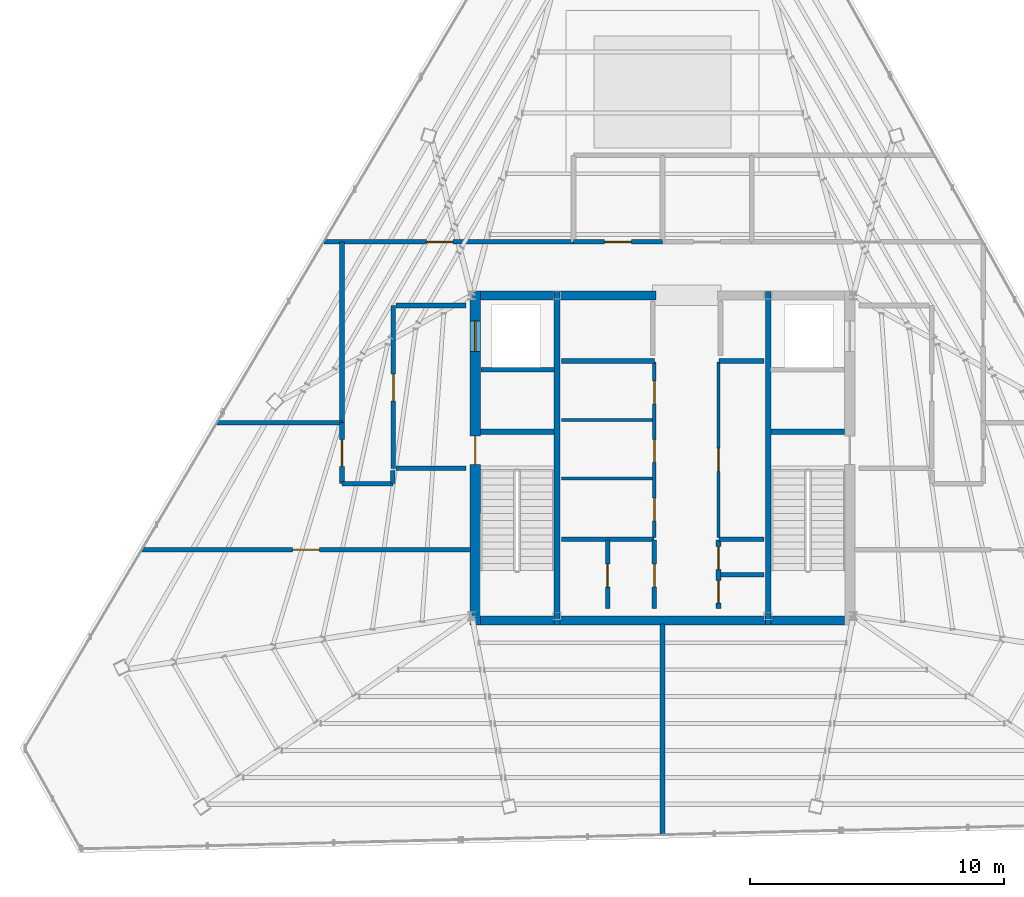
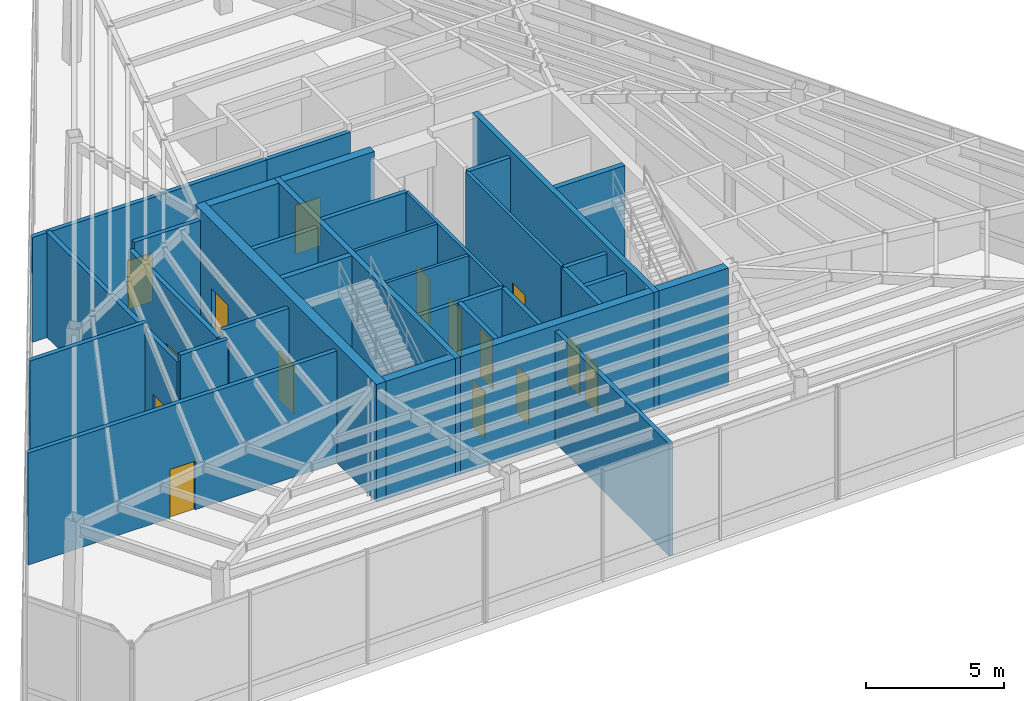
# One storey, part 23 of 25: 35 walls, 15 doors, 15 openings.
"""IFC4 building model written with IfcOpenShell, lengths in metres."""

from ifc_helpers import new_model, si_unit, direction, frame, frame_2d, origin, place, context, subcontext, project, spatial, rectangle, extrude, material, layer, layer_set, type_object, element, fill, save


model = new_model("IFC4")

# Units and contexts
model_context = context("Model", 3, precision=1e-05, world=origin(), true_north=direction((0.0, 1.0)))
body_context = subcontext(model_context, "Body", "Model", "MODEL_VIEW")
ifc_project = project(units=[si_unit("LENGTHUNIT", "METRE"), si_unit("AREAUNIT", "SQUARE_METRE"), si_unit("VOLUMEUNIT", "CUBIC_METRE"), si_unit("PLANEANGLEUNIT", "RADIAN"), si_unit("MASSUNIT", "GRAM", prefix="KILO")], contexts=[model_context])

# Site, building, storey
site_placement = place(None, origin())
site = spatial("IfcSite", under=ifc_project, at=site_placement, CompositionType="ELEMENT")
building_placement = place(site_placement, origin())
building = spatial("IfcBuilding", under=site, at=building_placement, Name="Caelisora Broadcast Tower", CompositionType="ELEMENT")
storey_placement = place(building_placement, frame((0.0, 0.0, 284.60009765625)))
storey = spatial("IfcBuildingStorey", under=building, at=storey_placement, Name="L75", CompositionType="ELEMENT", Elevation=284.60009765625)

# Wall, openings, doors
ifc_material_1 = material(Name="Concrete 40 MPa (AS 3600 N40)", Category="concrete")
ifc_layer_1 = layer(ifc_material_1, 0.39990234375, Name="Concrete 40 MPa (AS 3600 N40)")
ifc_layer_set_1 = layer_set([ifc_layer_1], Name="Concrete 40 MPa (AS 3600 N40)")
wall_type_1 = type_object("IfcWallType", Name="CW3", PredefinedType="SHEAR", material=ifc_layer_set_1)
wall_1_placement = place(storey_placement, frame((30.639892578125, 17.050048828125, 0.0), z_axis=(0.0, 0.0, 1.0), x_axis=(0.0, 1.0, 0.0)))
wall_1 = element("IfcWall", 1, at=wall_1_placement, inside=storey, type_object=wall_type_1, Name="L75 core shear wall CW3", PredefinedType="SHEAR", context=body_context, shape_type="SweptSolid", body=[
    extrude(rectangle(XDim=13.125, YDim=0.39990234375, at=frame_2d((6.5625, 0.0))), origin(), (0.0, 0.0, 1.0), 5.199951171875),
])
opening_1_placement = place(wall_1_placement, frame((6.300048828125, 0.0, 0.0)))
opening_1 = element("IfcOpeningElement", 2, at=opening_1_placement, cuts=wall_1, Name="Opening FD04", PredefinedType="OPENING", context=body_context, shape_type="SweptSolid", body=[
    extrude(rectangle(XDim=1.1201171875, YDim=2.14990234375, at=frame_2d((0.56005859375, 1.074951171875))), frame((0.0, 0.2119140625, 0.0), z_axis=(0.0, -1.0, 0.0), x_axis=(1.0, 0.0, 0.0)), (0.0, 0.0, 1.0), 0.423828125),
])
opening_2_placement = place(wall_1_placement, frame((10.75, 0.0, 0.0)))
opening_2 = element("IfcOpeningElement", 3, at=opening_2_placement, cuts=wall_1, Name="Opening LD04", PredefinedType="OPENING", context=body_context, shape_type="SweptSolid", body=[
    extrude(rectangle(XDim=1.199951171875, YDim=2.199951171875, at=frame_2d((0.60009765625, 1.10009765625))), frame((0.0, 0.2119140625, 0.0), z_axis=(0.0, -1.0, 0.0), x_axis=(1.0, 0.0, 0.0)), (0.0, 0.0, 1.0), 0.423828125),
])
ifc_material_2 = material(Name="Pressurised Fire-Isolated Stair Door", Category="steel")
door_type_1 = type_object("IfcDoorType", Name="FD04", OperationType="NOTDEFINED", PredefinedType="DOOR", material=ifc_material_2)
door_1_placement = place(opening_1_placement, origin())
door_1 = element("IfcDoor", 4, at=door_1_placement, inside=storey, type_object=door_type_1, Name="L75 door FD04 (L75-DR-ST1)", OperationType="SINGLE_SWING_LEFT", OverallHeight=2.14990234375, OverallWidth=1.1201171875, PredefinedType="DOOR", context=body_context, shape_type="SweptSolid", body=[
    extrude(rectangle(XDim=1.1201171875, YDim=2.14990234375, at=frame_2d((0.56005859375, 1.074951171875))), frame((0.0, 0.02490234375, 0.0), z_axis=(0.0, -1.0, 0.0), x_axis=(1.0, 0.0, 0.0)), (0.0, 0.0, 1.0), 0.050048828125),
])
fill(opening_1, door_1)
ifc_material_3 = material(Name="Emergency Firefighting Lift Sliding Landing Door", Category="steel")
door_type_2 = type_object("IfcDoorType", Name="LD04", OperationType="NOTDEFINED", PredefinedType="DOOR", material=ifc_material_3)
door_2_placement = place(opening_2_placement, origin())
door_2 = element("IfcDoor", 5, at=door_2_placement, inside=storey, type_object=door_type_2, Name="L75 door LD04 (L75-LD-FFL1)", OperationType="SLIDING_TO_LEFT", OverallHeight=2.199951171875, OverallWidth=1.199951171875, PredefinedType="DOOR", context=body_context, shape_type="SweptSolid", body=[
    extrude(rectangle(XDim=1.199951171875, YDim=2.199951171875, at=frame_2d((0.60009765625, 1.10009765625))), frame((0.0, 0.02490234375, 0.0), z_axis=(0.0, -1.0, 0.0), x_axis=(1.0, 0.0, 0.0)), (0.0, 0.0, 1.0), 0.050048828125),
])
fill(opening_2, door_2)

# Walls
ifc_layer_2 = layer(ifc_material_1, 0.35009765625, Name="Concrete 40 MPa (AS 3600 N40)")
ifc_layer_set_2 = layer_set([ifc_layer_2], Name="Concrete 40 MPa (AS 3600 N40)")
wall_type_2 = type_object("IfcWallType", Name="CW6", PredefinedType="SHEAR", material=ifc_layer_set_2)
wall_2_placement = place(storey_placement, frame((30.840087890625, 17.22509765625, 0.0), z_axis=(0.0, 0.0, 1.0), x_axis=(1.0, 0.0, 0.0)))
element("IfcWall", 6, at=wall_2_placement, inside=storey, type_object=wall_type_2, Name="L75 core shear wall CW6", PredefinedType="SHEAR", context=body_context, shape_type="SweptSolid", body=[
    extrude(rectangle(XDim=2.89990234375, YDim=0.35009765625, at=frame_2d((1.449951171875, 0.0))), origin(), (0.0, 0.0, 1.0), 5.199951171875),
])
wall_3_placement = place(storey_placement, frame((33.9599609375, 17.22509765625, 0.0), z_axis=(0.0, 0.0, 1.0), x_axis=(1.0, 0.0, 0.0)))
element("IfcWall", 7, at=wall_3_placement, inside=storey, type_object=wall_type_2, Name="L75 core shear wall CW6", PredefinedType="SHEAR", context=body_context, shape_type="SweptSolid", body=[
    extrude(rectangle(XDim=8.080078125, YDim=0.35009765625, at=frame_2d((4.0400390625, 0.0))), origin(), (0.0, 0.0, 1.0), 5.199951171875),
])
for number, where, z_axis, x_axis, name in (
    (8, (42.260009765625, 17.22509765625, 0.0), (0.0, 0.0, 1.0), (1.0, 0.0, 0.0), "L75 core shear wall CW6"),
    (9, (30.840087890625, 30.0, 0.0), (0.0, 0.0, 1.0), (1.0, 0.0, 0.0), "L75 core shear wall CW6"),
):
    element("IfcWall", number, at=place(storey_placement, frame(where, z_axis=z_axis, x_axis=x_axis)), inside=storey, type_object=wall_type_2, Name=name, PredefinedType="SHEAR", context=body_context, shape_type="SweptSolid", body=[
        extrude(rectangle(XDim=2.89990234375, YDim=0.35009765625, at=frame_2d((1.449951171875, 0.0))), origin(), (0.0, 0.0, 1.0), 5.199951171875),
    ])
wall_4_placement = place(storey_placement, frame((33.9599609375, 30.0, 0.0), z_axis=(0.0, 0.0, 1.0), x_axis=(1.0, 0.0, 0.0)))
element("IfcWall", 10, at=wall_4_placement, inside=storey, type_object=wall_type_2, Name="L75 core shear wall CW6", PredefinedType="SHEAR", context=body_context, shape_type="SweptSolid", body=[
    extrude(rectangle(XDim=3.780029296875, YDim=0.35009765625, at=frame_2d((1.89013671875, 0.0))), origin(), (0.0, 0.0, 1.0), 5.199951171875),
])
ifc_material_4 = material(Name="Concrete 50 MPa (AS 3600 S50)", Category="concrete")
ifc_layer_3 = layer(ifc_material_4, 0.219970703125, Name="Concrete 50 MPa (AS 3600 S50)")
ifc_layer_set_3 = layer_set([ifc_layer_3], Name="Concrete 50 MPa (AS 3600 S50)")
wall_type_3 = type_object("IfcWallType", Name="CW7", PredefinedType="SHEAR", material=ifc_layer_set_3)
for number, where, z_axis, x_axis, name in (
    (11, (33.85009765625, 17.050048828125, 0.0), (0.0, 0.0, 1.0), (0.0, 1.0, 0.0), "L75 core shear wall CW7"),
    (12, (42.14990234375, 17.050048828125, 0.0), (0.0, 0.0, 1.0), (0.0, 1.0, 0.0), "L75 core shear wall CW7"),
):
    element("IfcWall", number, at=place(storey_placement, frame(where, z_axis=z_axis, x_axis=x_axis)), inside=storey, type_object=wall_type_3, Name=name, PredefinedType="SHEAR", context=body_context, shape_type="SweptSolid", body=[
        extrude(rectangle(XDim=13.125, YDim=0.219970703125, at=frame_2d((6.5625, 0.0))), origin(), (0.0, 0.0, 1.0), 5.199951171875),
    ])
for number, where, z_axis, x_axis, name in (
    (13, (30.840087890625, 24.639892578125, 0.0), (0.0, 0.0, 1.0), (1.0, 0.0, 0.0), "L75 core shear wall CW7"),
    (14, (42.260009765625, 24.639892578125, 0.0), (0.0, 0.0, 1.0), (1.0, 0.0, 0.0), "L75 core shear wall CW7"),
):
    element("IfcWall", number, at=place(storey_placement, frame(where, z_axis=z_axis, x_axis=x_axis)), inside=storey, type_object=wall_type_3, Name=name, PredefinedType="SHEAR", context=body_context, shape_type="SweptSolid", body=[
        extrude(rectangle(XDim=2.89990234375, YDim=0.219970703125, at=frame_2d((1.449951171875, 0.0))), origin(), (0.0, 0.0, 1.0), 5.199951171875),
    ])
ifc_material_5 = material(Name="Fire-Rated Gypsum Shaft and Compartment Wall", Category="gypsum")
ifc_layer_4 = layer(ifc_material_5, 0.179931640625, Name="Fire-Rated Gypsum Shaft and Compartment Wall")
ifc_layer_set_4 = layer_set([ifc_layer_4], Name="Fire-Rated Gypsum Shaft and Compartment Wall")
wall_type_4 = type_object("IfcWallType", Name="PW2", PredefinedType="PARTITIONING", material=ifc_layer_set_4)
wall_5_placement = place(storey_placement, frame((34.02001953125, 27.419921875, 0.0), z_axis=(0.0, 0.0, 1.0), x_axis=(1.0, 0.0, 0.0)))
element("IfcWall", 15, at=wall_5_placement, inside=storey, type_object=wall_type_4, Name="L75 fire compartment wall PW2", PredefinedType="PARTITIONING", context=body_context, shape_type="SweptSolid", body=[
    extrude(rectangle(XDim=3.659912109375, YDim=0.179931640625, at=frame_2d((1.830078125, 0.0))), origin(), (0.0, 0.0, 1.0), 4.949951171875),
])
wall_6_placement = place(storey_placement, frame((40.219970703125, 27.419921875, 0.0), z_axis=(0.0, 0.0, 1.0), x_axis=(1.0, 0.0, 0.0)))
element("IfcWall", 16, at=wall_6_placement, inside=storey, type_object=wall_type_4, Name="L75 fire compartment wall PW2", PredefinedType="PARTITIONING", context=body_context, shape_type="SweptSolid", body=[
    extrude(rectangle(XDim=1.760009765625, YDim=0.179931640625, at=frame_2d((0.8798828125, 0.0))), origin(), (0.0, 0.0, 1.0), 4.949951171875),
])

# Wall, opening, door
wall_7_placement = place(storey_placement, frame((27.419921875, 23.199951171875, 0.0), z_axis=(0.0, 0.0, 1.0), x_axis=(0.0, 1.0, 0.0)))
wall_7 = element("IfcWall", 17, at=wall_7_placement, inside=storey, type_object=wall_type_4, Name="L75 fire compartment wall PW2", PredefinedType="PARTITIONING", context=body_context, shape_type="SweptSolid", body=[
    extrude(rectangle(XDim=6.400146484375, YDim=0.179931640625, at=frame_2d((3.2001953125, 0.0))), origin(), (0.0, 0.0, 1.0), 4.635009765625),
])
opening_3_placement = place(wall_7_placement, frame((2.64990234375, 0.0, 0.0)))
opening_3 = element("IfcOpeningElement", 18, at=opening_3_placement, cuts=wall_7, Name="Opening FD02", PredefinedType="OPENING", context=body_context, shape_type="SweptSolid", body=[
    extrude(rectangle(XDim=1.050048828125, YDim=2.14990234375, at=frame_2d((0.52490234375, 1.074951171875))), frame((0.0, 0.10205078125, 0.0), z_axis=(0.0, -1.0, 0.0), x_axis=(1.0, 0.0, 0.0)), (0.0, 0.0, 1.0), 0.203857421875),
])
ifc_material_6 = material(Name="Single-Leaf Steel Fire Lobby Door", Category="steel")
door_type_3 = type_object("IfcDoorType", Name="FD02", OperationType="NOTDEFINED", PredefinedType="DOOR", material=ifc_material_6)
door_3_placement = place(opening_3_placement, origin())
door_3 = element("IfcDoor", 19, at=door_3_placement, inside=storey, type_object=door_type_3, Name="L75 door FD02 (L75-DR-P01D1)", OperationType="SINGLE_SWING_RIGHT", OverallHeight=2.14990234375, OverallWidth=1.050048828125, PredefinedType="DOOR", context=body_context, shape_type="SweptSolid", body=[
    extrude(rectangle(XDim=1.050048828125, YDim=2.14990234375, at=frame_2d((0.52490234375, 1.074951171875))), frame((0.0, 0.02490234375, 0.0), z_axis=(0.0, -1.0, 0.0), x_axis=(1.0, 0.0, 0.0)), (0.0, 0.0, 1.0), 0.050048828125),
])
fill(opening_3, door_3)

# Walls
for number, where, z_axis, x_axis, name in (
    (20, (27.52001953125, 23.199951171875, 0.0), (0.0, 0.0, 1.0), (1.0, 0.0, 0.0), "L75 fire compartment wall PW2"),
    (21, (27.52001953125, 29.60009765625, 0.0), (0.0, 0.0, 1.0), (1.0, 0.0, 0.0), "L75 fire compartment wall PW2"),
):
    element("IfcWall", number, at=place(storey_placement, frame(where, z_axis=z_axis, x_axis=x_axis)), inside=storey, type_object=wall_type_4, Name=name, PredefinedType="PARTITIONING", context=body_context, shape_type="SweptSolid", body=[
        extrude(rectangle(XDim=2.760009765625, YDim=0.179931640625, at=frame_2d((1.3798828125, 0.0))), origin(), (0.0, 0.0, 1.0), 4.949951171875),
    ])
wall_8_placement = place(storey_placement, frame((30.860107421875, 27.070068359375, 0.0), z_axis=(0.0, 0.0, 1.0), x_axis=(1.0, 0.0, 0.0)))
element("IfcWall", 22, at=wall_8_placement, inside=storey, type_object=wall_type_4, Name="L75 fire compartment wall PW2", PredefinedType="PARTITIONING", context=body_context, shape_type="SweptSolid", body=[
    extrude(rectangle(XDim=2.89990234375, YDim=0.179931640625, at=frame_2d((1.449951171875, 0.0))), origin(), (0.0, 0.0, 1.0), 4.949951171875),
])
wall_9_placement = place(storey_placement, frame((34.02001953125, 20.419921875, 0.0), z_axis=(0.0, 0.0, 1.0), x_axis=(1.0, 0.0, 0.0)))
element("IfcWall", 23, at=wall_9_placement, inside=storey, type_object=wall_type_4, Name="L75 fire compartment wall PW2", PredefinedType="PARTITIONING", context=body_context, shape_type="SweptSolid", body=[
    extrude(rectangle(XDim=3.639892578125, YDim=0.179931640625, at=frame_2d((1.81982421875, 0.0))), origin(), (0.0, 0.0, 1.0), 4.949951171875),
])
wall_10_placement = place(storey_placement, frame((40.219970703125, 20.419921875, 0.0), z_axis=(0.0, 0.0, 1.0), x_axis=(1.0, 0.0, 0.0)))
element("IfcWall", 24, at=wall_10_placement, inside=storey, type_object=wall_type_4, Name="L75 fire compartment wall PW2", PredefinedType="PARTITIONING", context=body_context, shape_type="SweptSolid", body=[
    extrude(rectangle(XDim=1.760009765625, YDim=0.179931640625, at=frame_2d((0.8798828125, 0.0))), origin(), (0.0, 0.0, 1.0), 4.949951171875),
])

# Wall, opening, door
wall_11_placement = place(storey_placement, frame((35.840087890625, 17.679931640625, 0.0), z_axis=(0.0, 0.0, 1.0), x_axis=(0.0, 1.0, 0.0)))
wall_11 = element("IfcWall", 25, at=wall_11_placement, inside=storey, type_object=wall_type_4, Name="L75 fire compartment wall PW2", PredefinedType="PARTITIONING", context=body_context, shape_type="SweptSolid", body=[
    extrude(rectangle(XDim=2.699951171875, YDim=0.179931640625, at=frame_2d((1.35009765625, 0.0))), origin(), (0.0, 0.0, 1.0), 4.949951171875),
])
opening_4_placement = place(wall_11_placement, frame((0.85009765625, 0.0, 0.0)))
opening_4 = element("IfcOpeningElement", 26, at=opening_4_placement, cuts=wall_11, Name="Opening FD03", PredefinedType="OPENING", context=body_context, shape_type="SweptSolid", body=[
    extrude(rectangle(XDim=0.89990234375, YDim=2.10009765625, at=frame_2d((0.449951171875, 1.050048828125))), frame((0.0, 0.10205078125, 0.0), z_axis=(0.0, -1.0, 0.0), x_axis=(1.0, 0.0, 0.0)), (0.0, 0.0, 1.0), 0.203857421875),
])
ifc_material_7 = material(Name="Single-Leaf Steel Riser Fire Access Door", Category="steel")
door_type_4 = type_object("IfcDoorType", Name="FD03", OperationType="NOTDEFINED", PredefinedType="DOOR", material=ifc_material_7)
door_4_placement = place(opening_4_placement, origin())
door_4 = element("IfcDoor", 27, at=door_4_placement, inside=storey, type_object=door_type_4, Name="L75 door FD03 (L75-DR-P15D1)", OperationType="SINGLE_SWING_RIGHT", OverallHeight=2.10009765625, OverallWidth=0.89990234375, PredefinedType="DOOR", context=body_context, shape_type="SweptSolid", body=[
    extrude(rectangle(XDim=0.89990234375, YDim=2.10009765625, at=frame_2d((0.449951171875, 1.050048828125))), frame((0.0, 0.02490234375, 0.0), z_axis=(0.0, -1.0, 0.0), x_axis=(1.0, 0.0, 0.0)), (0.0, 0.0, 1.0), 0.050048828125),
])
fill(opening_4, door_4)

wall_12_placement = place(storey_placement, frame((37.679931640625, 17.679931640625, 0.0), z_axis=(0.0, 0.0, 1.0), x_axis=(0.0, 1.0, 0.0)))
wall_12 = element("IfcWall", 28, at=wall_12_placement, inside=storey, type_object=wall_type_4, Name="L75 fire compartment wall PW2", PredefinedType="PARTITIONING", context=body_context, shape_type="SweptSolid", body=[
    extrude(rectangle(XDim=2.699951171875, YDim=0.179931640625, at=frame_2d((1.35009765625, 0.0))), origin(), (0.0, 0.0, 1.0), 4.949951171875),
])
opening_5_placement = place(wall_12_placement, frame((0.85009765625, 0.0, 0.0)))
opening_5 = element("IfcOpeningElement", 29, at=opening_5_placement, cuts=wall_12, Name="Opening FD03", PredefinedType="OPENING", context=body_context, shape_type="SweptSolid", body=[
    extrude(rectangle(XDim=0.89990234375, YDim=2.10009765625, at=frame_2d((0.449951171875, 1.050048828125))), frame((0.0, 0.10205078125, 0.0), z_axis=(0.0, -1.0, 0.0), x_axis=(1.0, 0.0, 0.0)), (0.0, 0.0, 1.0), 0.203857421875),
])
door_5_placement = place(opening_5_placement, origin())
door_5 = element("IfcDoor", 30, at=door_5_placement, inside=storey, type_object=door_type_4, Name="L75 door FD03 (L75-DR-P16D1)", OperationType="SINGLE_SWING_LEFT", OverallHeight=2.10009765625, OverallWidth=0.89990234375, PredefinedType="DOOR", context=body_context, shape_type="SweptSolid", body=[
    extrude(rectangle(XDim=0.89990234375, YDim=2.10009765625, at=frame_2d((0.449951171875, 1.050048828125))), frame((0.0, 0.02490234375, 0.0), z_axis=(0.0, -1.0, 0.0), x_axis=(1.0, 0.0, 0.0)), (0.0, 0.0, 1.0), 0.050048828125),
])
fill(opening_5, door_5)

# Wall
wall_13_placement = place(storey_placement, frame((40.280029296875, 19.02001953125, 0.0), z_axis=(0.0, 0.0, 1.0), x_axis=(1.0, 0.0, 0.0)))
element("IfcWall", 31, at=wall_13_placement, inside=storey, type_object=wall_type_4, Name="L75 fire compartment wall PW2", PredefinedType="PARTITIONING", context=body_context, shape_type="SweptSolid", body=[
    extrude(rectangle(XDim=1.699951171875, YDim=0.179931640625, at=frame_2d((0.85009765625, 0.0))), origin(), (0.0, 0.0, 1.0), 4.949951171875),
])

# Wall, openings, doors
wall_14_placement = place(storey_placement, frame((40.199951171875, 17.679931640625, 0.0), z_axis=(0.0, 0.0, 1.0), x_axis=(0.0, 1.0, 0.0)))
wall_14 = element("IfcWall", 32, at=wall_14_placement, inside=storey, type_object=wall_type_4, Name="L75 fire compartment wall PW2", PredefinedType="PARTITIONING", context=body_context, shape_type="SweptSolid", body=[
    extrude(rectangle(XDim=2.699951171875, YDim=0.179931640625, at=frame_2d((1.35009765625, 0.0))), origin(), (0.0, 0.0, 1.0), 4.949951171875),
])
opening_6_placement = place(wall_14_placement, frame((0.219970703125, 0.0, 0.0)))
opening_6 = element("IfcOpeningElement", 33, at=opening_6_placement, cuts=wall_14, Name="Opening FD03", PredefinedType="OPENING", context=body_context, shape_type="SweptSolid", body=[
    extrude(rectangle(XDim=0.89990234375, YDim=2.10009765625, at=frame_2d((0.449951171875, 1.050048828125))), frame((0.0, 0.10205078125, 0.0), z_axis=(0.0, -1.0, 0.0), x_axis=(1.0, 0.0, 0.0)), (0.0, 0.0, 1.0), 0.203857421875),
])
opening_7_placement = place(wall_14_placement, frame((1.5400390625, 0.0, 0.0)))
opening_7 = element("IfcOpeningElement", 34, at=opening_7_placement, cuts=wall_14, Name="Opening FD03", PredefinedType="OPENING", context=body_context, shape_type="SweptSolid", body=[
    extrude(rectangle(XDim=0.89990234375, YDim=2.10009765625, at=frame_2d((0.449951171875, 1.050048828125))), frame((0.0, 0.10205078125, 0.0), z_axis=(0.0, -1.0, 0.0), x_axis=(1.0, 0.0, 0.0)), (0.0, 0.0, 1.0), 0.203857421875),
])
door_6_placement = place(opening_6_placement, origin())
door_6 = element("IfcDoor", 35, at=door_6_placement, inside=storey, type_object=door_type_4, Name="L75 door FD03 (L75-DR-P18D1)", OperationType="SINGLE_SWING_RIGHT", OverallHeight=2.10009765625, OverallWidth=0.89990234375, PredefinedType="DOOR", context=body_context, shape_type="SweptSolid", body=[
    extrude(rectangle(XDim=0.89990234375, YDim=2.10009765625, at=frame_2d((0.449951171875, 1.050048828125))), frame((0.0, 0.02490234375, 0.0), z_axis=(0.0, -1.0, 0.0), x_axis=(1.0, 0.0, 0.0)), (0.0, 0.0, 1.0), 0.050048828125),
])
fill(opening_6, door_6)
door_7_placement = place(opening_7_placement, origin())
door_7 = element("IfcDoor", 36, at=door_7_placement, inside=storey, type_object=door_type_4, Name="L75 door FD03 (L75-DR-P18D2)", OperationType="SINGLE_SWING_LEFT", OverallHeight=2.10009765625, OverallWidth=0.89990234375, PredefinedType="DOOR", context=body_context, shape_type="SweptSolid", body=[
    extrude(rectangle(XDim=0.89990234375, YDim=2.10009765625, at=frame_2d((0.449951171875, 1.050048828125))), frame((0.0, 0.02490234375, 0.0), z_axis=(0.0, -1.0, 0.0), x_axis=(1.0, 0.0, 0.0)), (0.0, 0.0, 1.0), 0.050048828125),
])
fill(opening_7, door_7)

# Wall, opening, door
wall_15_placement = place(storey_placement, frame((17.530029296875, 20.0, 0.0), z_axis=(0.0, 0.0, 1.0), x_axis=(1.0, 0.0, 0.0)))
wall_15 = element("IfcWall", 37, at=wall_15_placement, inside=storey, type_object=wall_type_4, Name="L75 fire compartment wall PW2", PredefinedType="PARTITIONING", context=body_context, shape_type="SweptSolid", body=[
    extrude(rectangle(XDim=12.9150390625, YDim=0.179931640625, at=frame_2d((6.45751953125, 0.0))), origin(), (0.0, 0.0, 1.0), 4.949951171875),
])
opening_8_placement = place(wall_15_placement, frame((5.931884765625, 0.0, 0.0)))
opening_8 = element("IfcOpeningElement", 38, at=opening_8_placement, cuts=wall_15, Name="Opening FD02", PredefinedType="OPENING", context=body_context, shape_type="SweptSolid", body=[
    extrude(rectangle(XDim=1.050048828125, YDim=2.14990234375, at=frame_2d((0.52490234375, 1.074951171875))), frame((0.0, 0.10205078125, 0.0), z_axis=(0.0, -1.0, 0.0), x_axis=(1.0, 0.0, 0.0)), (0.0, 0.0, 1.0), 0.203857421875),
])
door_8_placement = place(opening_8_placement, origin())
door_8 = element("IfcDoor", 39, at=door_8_placement, inside=storey, type_object=door_type_3, Name="L75 door FD02 (L75-DR-P19D1)", OperationType="SINGLE_SWING_RIGHT", OverallHeight=2.14990234375, OverallWidth=1.050048828125, PredefinedType="DOOR", context=body_context, shape_type="SweptSolid", body=[
    extrude(rectangle(XDim=1.050048828125, YDim=2.14990234375, at=frame_2d((0.52490234375, 1.074951171875))), frame((0.0, 0.02490234375, 0.0), z_axis=(0.0, -1.0, 0.0), x_axis=(1.0, 0.0, 0.0)), (0.0, 0.0, 1.0), 0.050048828125),
])
fill(opening_8, door_8)

wall_16_placement = place(storey_placement, frame((24.69287109375, 32.10009765625, 0.0), z_axis=(0.0, 0.0, 1.0), x_axis=(1.0, 0.0, 0.0)))
wall_16 = element("IfcWall", 40, at=wall_16_placement, inside=storey, type_object=wall_type_4, Name="L75 fire compartment wall PW2", PredefinedType="PARTITIONING", context=body_context, shape_type="SweptSolid", body=[
    extrude(rectangle(XDim=9.80224609375, YDim=0.179931640625, at=frame_2d((4.901123046875, 0.0))), origin(), (0.0, 0.0, 1.0), 4.635009765625),
])
opening_9_placement = place(wall_16_placement, frame((4.02001953125, 0.0, 0.0)))
opening_9 = element("IfcOpeningElement", 41, at=opening_9_placement, cuts=wall_16, Name="Opening FD02", PredefinedType="OPENING", context=body_context, shape_type="SweptSolid", body=[
    extrude(rectangle(XDim=1.050048828125, YDim=2.14990234375, at=frame_2d((0.52490234375, 1.074951171875))), frame((0.0, 0.10205078125, 0.0), z_axis=(0.0, -1.0, 0.0), x_axis=(1.0, 0.0, 0.0)), (0.0, 0.0, 1.0), 0.203857421875),
])
door_9_placement = place(opening_9_placement, origin())
door_9 = element("IfcDoor", 42, at=door_9_placement, inside=storey, type_object=door_type_3, Name="L75 door FD02 (L75-DR-P21D1)", OperationType="SINGLE_SWING_RIGHT", OverallHeight=2.14990234375, OverallWidth=1.050048828125, PredefinedType="DOOR", context=body_context, shape_type="SweptSolid", body=[
    extrude(rectangle(XDim=1.050048828125, YDim=2.14990234375, at=frame_2d((0.52490234375, 1.074951171875))), frame((0.0, 0.02490234375, 0.0), z_axis=(0.0, -1.0, 0.0), x_axis=(1.0, 0.0, 0.0)), (0.0, 0.0, 1.0), 0.050048828125),
])
fill(opening_9, door_9)

# Walls
wall_17_placement = place(storey_placement, frame((38.0, 8.81005859375, 0.0), z_axis=(0.0, 0.0, 1.0), x_axis=(0.0, 1.0, 0.0)))
element("IfcWall", 43, at=wall_17_placement, inside=storey, type_object=wall_type_4, Name="L75 fire compartment wall PW2", PredefinedType="PARTITIONING", context=body_context, shape_type="SweptSolid", body=[
    extrude(rectangle(XDim=8.264892578125, YDim=0.179931640625, at=frame_2d((4.13232421875, 0.0))), origin(), (0.0, 0.0, 1.0), 4.949951171875),
])
wall_18_placement = place(storey_placement, frame((25.39990234375, 25.0048828125, 0.0), z_axis=(0.0, 0.0, 1.0), x_axis=(0.0, 1.0, 0.0)))
element("IfcWall", 44, at=wall_18_placement, inside=storey, type_object=wall_type_4, Name="L75 fire compartment wall PW2", PredefinedType="PARTITIONING", context=body_context, shape_type="SweptSolid", body=[
    extrude(rectangle(XDim=7.090087890625, YDim=0.179931640625, at=frame_2d((3.544921875, 0.0))), origin(), (0.0, 0.0, 1.0), 4.635009765625),
])
wall_19_placement = place(storey_placement, frame((20.489990234375, 25.0, 0.0), z_axis=(0.0, 0.0, 1.0), x_axis=(1.0, 0.0, 0.0)))
element("IfcWall", 45, at=wall_19_placement, inside=storey, type_object=wall_type_4, Name="L75 fire compartment wall PW2", PredefinedType="PARTITIONING", context=body_context, shape_type="SweptSolid", body=[
    extrude(rectangle(XDim=4.905029296875, YDim=0.179931640625, at=frame_2d((2.45263671875, 0.0))), origin(), (0.0, 0.0, 1.0), 4.949951171875),
])

# Wall, opening, door
wall_20_placement = place(storey_placement, frame((34.5048828125, 32.10009765625, 0.0), z_axis=(0.0, 0.0, 1.0), x_axis=(1.0, 0.0, 0.0)))
wall_20 = element("IfcWall", 46, at=wall_20_placement, inside=storey, type_object=wall_type_4, Name="L75 fire compartment wall PW2", PredefinedType="PARTITIONING", context=body_context, shape_type="SweptSolid", body=[
    extrude(rectangle(XDim=3.490234375, YDim=0.179931640625, at=frame_2d((1.7451171875, 0.0))), origin(), (0.0, 0.0, 1.0), 4.635009765625),
])
opening_10_placement = place(wall_20_placement, frame((1.219970703125, 0.0, 0.0)))
opening_10 = element("IfcOpeningElement", 47, at=opening_10_placement, cuts=wall_20, Name="Opening FD02", PredefinedType="OPENING", context=body_context, shape_type="SweptSolid", body=[
    extrude(rectangle(XDim=1.050048828125, YDim=2.14990234375, at=frame_2d((0.52490234375, 1.074951171875))), frame((0.0, 0.10205078125, 0.0), z_axis=(0.0, -1.0, 0.0), x_axis=(1.0, 0.0, 0.0)), (0.0, 0.0, 1.0), 0.203857421875),
])
door_10_placement = place(opening_10_placement, origin())
door_10 = element("IfcDoor", 48, at=door_10_placement, inside=storey, type_object=door_type_3, Name="L75 door FD02 (L75-DR-P29D1)", OperationType="SINGLE_SWING_LEFT", OverallHeight=2.14990234375, OverallWidth=1.050048828125, PredefinedType="DOOR", context=body_context, shape_type="SweptSolid", body=[
    extrude(rectangle(XDim=1.050048828125, YDim=2.14990234375, at=frame_2d((0.52490234375, 1.074951171875))), frame((0.0, 0.02490234375, 0.0), z_axis=(0.0, -1.0, 0.0), x_axis=(1.0, 0.0, 0.0)), (0.0, 0.0, 1.0), 0.050048828125),
])
fill(opening_10, door_10)

wall_21_placement = place(storey_placement, frame((25.39990234375, 24.9951171875, 0.0), z_axis=(0.0, 0.0, 1.0), x_axis=(0.0, -1.0, 0.0)))
wall_21 = element("IfcWall", 49, at=wall_21_placement, inside=storey, type_object=wall_type_4, Name="L75 fire compartment wall PW2", PredefinedType="PARTITIONING", context=body_context, shape_type="SweptSolid", body=[
    extrude(rectangle(XDim=2.39013671875, YDim=0.179931640625, at=frame_2d((1.195068359375, 0.0))), origin(), (0.0, 0.0, 1.0), 4.635009765625),
])
opening_11_placement = place(wall_21_placement, frame((0.669921875, 0.0, 0.0)))
opening_11 = element("IfcOpeningElement", 50, at=opening_11_placement, cuts=wall_21, Name="Opening FD02", PredefinedType="OPENING", context=body_context, shape_type="SweptSolid", body=[
    extrude(rectangle(XDim=1.050048828125, YDim=2.14990234375, at=frame_2d((0.52490234375, 1.074951171875))), frame((0.0, 0.10205078125, 0.0), z_axis=(0.0, -1.0, 0.0), x_axis=(1.0, 0.0, 0.0)), (0.0, 0.0, 1.0), 0.203857421875),
])
door_11_placement = place(opening_11_placement, origin())
door_11 = element("IfcDoor", 51, at=door_11_placement, inside=storey, type_object=door_type_3, Name="L75 door FD02 (L75-DR-P37D1)", OperationType="SINGLE_SWING_RIGHT", OverallHeight=2.14990234375, OverallWidth=1.050048828125, PredefinedType="DOOR", context=body_context, shape_type="SweptSolid", body=[
    extrude(rectangle(XDim=1.050048828125, YDim=2.14990234375, at=frame_2d((0.52490234375, 1.074951171875))), frame((0.0, 0.02490234375, 0.0), z_axis=(0.0, -1.0, 0.0), x_axis=(1.0, 0.0, 0.0)), (0.0, 0.0, 1.0), 0.050048828125),
])
fill(opening_11, door_11)

# Walls
wall_22_placement = place(storey_placement, frame((25.405029296875, 22.60009765625, 0.0), z_axis=(0.0, 0.0, 1.0), x_axis=(1.0, 0.0, 0.0)))
element("IfcWall", 52, at=wall_22_placement, inside=storey, type_object=wall_type_4, Name="L75 fire compartment wall PW2", PredefinedType="PARTITIONING", context=body_context, shape_type="SweptSolid", body=[
    extrude(rectangle(XDim=1.989990234375, YDim=0.179931640625, at=frame_2d((0.9951171875, 0.0))), origin(), (0.0, 0.0, 1.0), 4.949951171875),
])
wall_23_placement = place(storey_placement, frame((27.39990234375, 22.60498046875, 0.0), z_axis=(0.0, 0.0, 1.0), x_axis=(0.0, 1.0, 0.0)))
element("IfcWall", 53, at=wall_23_placement, inside=storey, type_object=wall_type_4, Name="L75 fire compartment wall PW2", PredefinedType="PARTITIONING", context=body_context, shape_type="SweptSolid", body=[
    extrude(rectangle(XDim=0.5, YDim=0.179931640625, at=frame_2d((0.25, 0.0))), origin(), (0.0, 0.0, 1.0), 4.635009765625),
])
ifc_material_8 = material(Name="Acoustic Steel-Stud Plasterboard Partition", Category="gypsum")
ifc_layer_5 = layer(ifc_material_8, 0.1298828125, Name="Acoustic Steel-Stud Plasterboard Partition")
ifc_layer_set_5 = layer_set([ifc_layer_5], Name="Acoustic Steel-Stud Plasterboard Partition")
wall_type_5 = type_object("IfcWallType", Name="PW3", PredefinedType="PARTITIONING", material=ifc_layer_set_5)
for number, where, z_axis, x_axis, name in (
    (54, (34.02001953125, 22.800048828125, 0.0), (0.0, 0.0, 1.0), (1.0, 0.0, 0.0), "L75 internal partition PW3"),
    (55, (34.02001953125, 25.10009765625, 0.0), (0.0, 0.0, 1.0), (1.0, 0.0, 0.0), "L75 internal partition PW3"),
):
    element("IfcWall", number, at=place(storey_placement, frame(where, z_axis=z_axis, x_axis=x_axis)), inside=storey, type_object=wall_type_5, Name=name, PredefinedType="PARTITIONING", context=body_context, shape_type="SweptSolid", body=[
        extrude(rectangle(XDim=3.580078125, YDim=0.1298828125, at=frame_2d((1.7900390625, 0.0))), origin(), (0.0, 0.0, 1.0), 4.949951171875),
    ])

# Wall, openings, doors
wall_24_placement = place(storey_placement, frame((37.679931640625, 20.47998046875, 0.0), z_axis=(0.0, 0.0, 1.0), x_axis=(0.0, 1.0, 0.0)))
wall_24 = element("IfcWall", 56, at=wall_24_placement, inside=storey, type_object=wall_type_5, Name="L75 internal partition PW3", PredefinedType="PARTITIONING", context=body_context, shape_type="SweptSolid", body=[
    extrude(rectangle(XDim=6.89990234375, YDim=0.1298828125, at=frame_2d((3.449951171875, 0.0))), origin(), (0.0, 0.0, 1.0), 4.949951171875),
])
opening_12_placement = place(wall_24_placement, frame((0.64990234375, 0.0, 0.0)))
opening_12 = element("IfcOpeningElement", 57, at=opening_12_placement, cuts=wall_24, Name="Opening FD03", PredefinedType="OPENING", context=body_context, shape_type="SweptSolid", body=[
    extrude(rectangle(XDim=0.89990234375, YDim=2.10009765625, at=frame_2d((0.449951171875, 1.050048828125))), frame((0.0, 0.076904296875, 0.0), z_axis=(0.0, -1.0, 0.0), x_axis=(1.0, 0.0, 0.0)), (0.0, 0.0, 1.0), 0.15380859375),
])
opening_13_placement = place(wall_24_placement, frame((2.949951171875, 0.0, 0.0)))
opening_13 = element("IfcOpeningElement", 58, at=opening_13_placement, cuts=wall_24, Name="Opening FD03", PredefinedType="OPENING", context=body_context, shape_type="SweptSolid", body=[
    extrude(rectangle(XDim=0.89990234375, YDim=2.10009765625, at=frame_2d((0.449951171875, 1.050048828125))), frame((0.0, 0.076904296875, 0.0), z_axis=(0.0, -1.0, 0.0), x_axis=(1.0, 0.0, 0.0)), (0.0, 0.0, 1.0), 0.15380859375),
])
opening_14_placement = place(wall_24_placement, frame((5.25, 0.0, 0.0)))
opening_14 = element("IfcOpeningElement", 59, at=opening_14_placement, cuts=wall_24, Name="Opening FD03", PredefinedType="OPENING", context=body_context, shape_type="SweptSolid", body=[
    extrude(rectangle(XDim=0.89990234375, YDim=2.10009765625, at=frame_2d((0.449951171875, 1.050048828125))), frame((0.0, 0.076904296875, 0.0), z_axis=(0.0, -1.0, 0.0), x_axis=(1.0, 0.0, 0.0)), (0.0, 0.0, 1.0), 0.15380859375),
])
door_12_placement = place(opening_12_placement, origin())
door_12 = element("IfcDoor", 60, at=door_12_placement, inside=storey, type_object=door_type_4, Name="L75 door FD03 (L75-DR-P13D1)", OperationType="SINGLE_SWING_RIGHT", OverallHeight=2.10009765625, OverallWidth=0.89990234375, PredefinedType="DOOR", context=body_context, shape_type="SweptSolid", body=[
    extrude(rectangle(XDim=0.89990234375, YDim=2.10009765625, at=frame_2d((0.449951171875, 1.050048828125))), frame((0.0, 0.02490234375, 0.0), z_axis=(0.0, -1.0, 0.0), x_axis=(1.0, 0.0, 0.0)), (0.0, 0.0, 1.0), 0.050048828125),
])
fill(opening_12, door_12)
door_13_placement = place(opening_13_placement, origin())
door_13 = element("IfcDoor", 61, at=door_13_placement, inside=storey, type_object=door_type_4, Name="L75 door FD03 (L75-DR-P13D2)", OperationType="SINGLE_SWING_LEFT", OverallHeight=2.10009765625, OverallWidth=0.89990234375, PredefinedType="DOOR", context=body_context, shape_type="SweptSolid", body=[
    extrude(rectangle(XDim=0.89990234375, YDim=2.10009765625, at=frame_2d((0.449951171875, 1.050048828125))), frame((0.0, 0.02490234375, 0.0), z_axis=(0.0, -1.0, 0.0), x_axis=(1.0, 0.0, 0.0)), (0.0, 0.0, 1.0), 0.050048828125),
])
fill(opening_13, door_13)
door_14_placement = place(opening_14_placement, origin())
door_14 = element("IfcDoor", 62, at=door_14_placement, inside=storey, type_object=door_type_4, Name="L75 door FD03 (L75-DR-P13D3)", OperationType="SINGLE_SWING_RIGHT", OverallHeight=2.10009765625, OverallWidth=0.89990234375, PredefinedType="DOOR", context=body_context, shape_type="SweptSolid", body=[
    extrude(rectangle(XDim=0.89990234375, YDim=2.10009765625, at=frame_2d((0.449951171875, 1.050048828125))), frame((0.0, 0.02490234375, 0.0), z_axis=(0.0, -1.0, 0.0), x_axis=(1.0, 0.0, 0.0)), (0.0, 0.0, 1.0), 0.050048828125),
])
fill(opening_14, door_14)

# Wall, opening, door
wall_25_placement = place(storey_placement, frame((40.199951171875, 20.47998046875, 0.0), z_axis=(0.0, 0.0, 1.0), x_axis=(0.0, 1.0, 0.0)))
wall_25 = element("IfcWall", 63, at=wall_25_placement, inside=storey, type_object=wall_type_5, Name="L75 internal partition PW3", PredefinedType="PARTITIONING", context=body_context, shape_type="SweptSolid", body=[
    extrude(rectangle(XDim=6.89990234375, YDim=0.1298828125, at=frame_2d((3.449951171875, 0.0))), origin(), (0.0, 0.0, 1.0), 4.949951171875),
])
opening_15_placement = place(wall_25_placement, frame((2.60009765625, 0.0, 0.0)))
opening_15 = element("IfcOpeningElement", 64, at=opening_15_placement, cuts=wall_25, Name="Opening FD03", PredefinedType="OPENING", context=body_context, shape_type="SweptSolid", body=[
    extrude(rectangle(XDim=0.89990234375, YDim=2.10009765625, at=frame_2d((0.449951171875, 1.050048828125))), frame((0.0, 0.076904296875, 0.0), z_axis=(0.0, -1.0, 0.0), x_axis=(1.0, 0.0, 0.0)), (0.0, 0.0, 1.0), 0.15380859375),
])
door_15_placement = place(opening_15_placement, origin())
door_15 = element("IfcDoor", 65, at=door_15_placement, inside=storey, type_object=door_type_4, Name="L75 door FD03 (L75-DR-P14D1)", OperationType="SINGLE_SWING_LEFT", OverallHeight=2.10009765625, OverallWidth=0.89990234375, PredefinedType="DOOR", context=body_context, shape_type="SweptSolid", body=[
    extrude(rectangle(XDim=0.89990234375, YDim=2.10009765625, at=frame_2d((0.449951171875, 1.050048828125))), frame((0.0, 0.02490234375, 0.0), z_axis=(0.0, -1.0, 0.0), x_axis=(1.0, 0.0, 0.0)), (0.0, 0.0, 1.0), 0.050048828125),
])
fill(opening_15, door_15)

save(model, "model.ifc")
